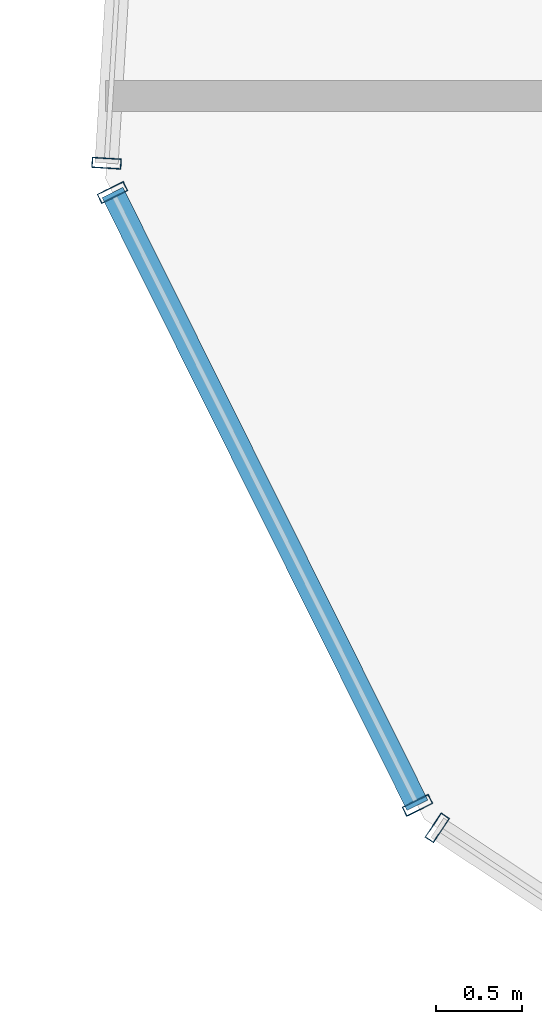
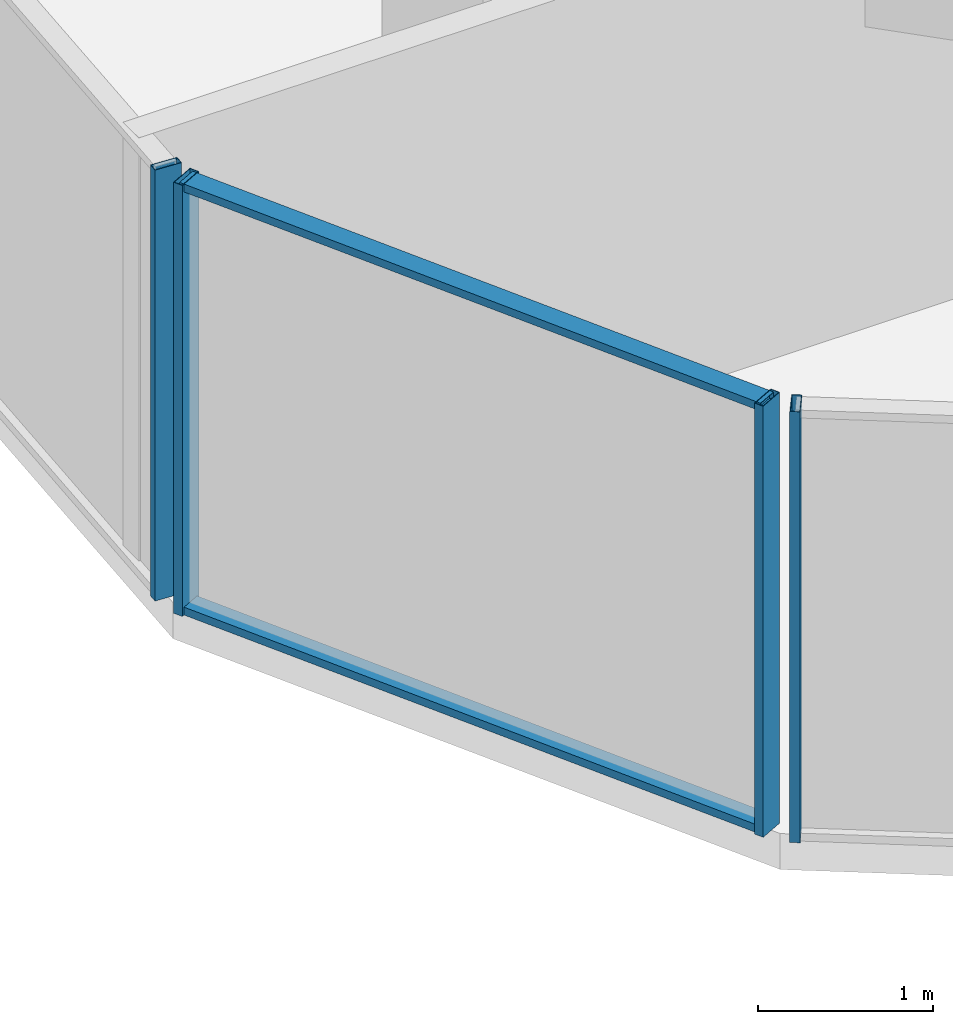
# One storey, part 4 of 30: 6 members, 3 elements without a shape of their own.
"""IFC4 building model written with IfcOpenShell, lengths in metres."""

from ifc_helpers import new_model, si_unit, direction, frame, origin, origin_2d, place, context, subcontext, project, spatial, hollow_rectangle, extrude, source, transform, mapped, material, layer, layer_set, material_profile, profile_set, type_object, element, aggregate, save


model = new_model("IFC4")

# Units and contexts
model_context = context("Model", 3, precision=1e-05, world=origin(), true_north=direction((0.0, 1.0)))
body_context = subcontext(model_context, "Body", "Model", "MODEL_VIEW")
ifc_project = project(units=[si_unit("LENGTHUNIT", "METRE"), si_unit("AREAUNIT", "SQUARE_METRE"), si_unit("VOLUMEUNIT", "CUBIC_METRE"), si_unit("PLANEANGLEUNIT", "RADIAN"), si_unit("MASSUNIT", "GRAM", prefix="KILO")], contexts=[model_context])

# Site, building, storey
site_placement = place(None, origin())
site = spatial("IfcSite", under=ifc_project, at=site_placement, CompositionType="ELEMENT")
building_placement = place(site_placement, origin())
building = spatial("IfcBuilding", under=site, at=building_placement, Name="Veraguas Prism Commons", CompositionType="ELEMENT")
storey_placement = place(building_placement, frame((0.0, 0.0, 116.5)))
storey = spatial("IfcBuildingStorey", under=building, at=storey_placement, Name="L32", CompositionType="ELEMENT", Elevation=116.5)

# Curtain wall, member
ifc_material = material(Name="Anodised aluminium EN AW-6063 T6", Category="aluminium")
ifc_layer = layer(ifc_material, 0.169921875, Name="Unitised Flush Curtain Wall Zone 2", Category="aluminium")
ifc_layer_set = layer_set([ifc_layer], Name="Anodised aluminium EN AW-6063 T6")
curtain_wall_type = type_object("IfcCurtainWallType", Name="Unitised Flush Curtain Wall Zone 2", PredefinedType="NOTDEFINED", material=ifc_layer_set)
curtain_wall_1_placement = place(storey_placement, origin())
curtain_wall_1 = element("IfcCurtainWall", 1, at=curtain_wall_1_placement, inside=storey, type_object=curtain_wall_type, Name="Tower Facade Curtain Wall L32-F3", PredefinedType="NOTDEFINED")
ifc_material_profile_1 = material_profile(ifc_material, hollow_rectangle(XDim=0.06005859375, YDim=0.169921875, WallThickness=0.00390625, at=origin_2d()), Name="AL60X170X4")
ifc_profile_set_1 = profile_set([ifc_material_profile_1], Name="Anodised aluminium EN AW-6063 T6")
member_type_1 = type_object("IfcMemberType", Name="Curtain Wall Mullion Lower AL 60x170x4", PredefinedType="MULLION", material=ifc_profile_set_1)
shared_shape_1 = source(origin(), body_context, "Body", "SweptSolid", [
    extrude(hollow_rectangle(XDim=0.06005859375, YDim=0.169921875, WallThickness=0.00390625, at=origin_2d()), origin(), (0.0, 0.0, 1.0), 3.0),
])
member_1_placement = place(storey_placement, frame((4.323974609375, 16.613525390625, 0.0), z_axis=(0.0, 0.0, 1.0), x_axis=(-0.061743612146, -0.99809204303, 0.0)))
member_1 = element("IfcMember", 2, at=member_1_placement, type_object=member_type_1, Name="CW-Z2 Mullion 5", PredefinedType="MULLION", context=body_context, shape_type="MappedRepresentation", body=[
    mapped(shared_shape_1, transform((0.0, 0.0, 0.0), scale=1.0)),
])
aggregate(curtain_wall_1, [member_1])

curtain_wall_2_placement = place(storey_placement, origin())
curtain_wall_2 = element("IfcCurtainWall", 3, at=curtain_wall_2_placement, inside=storey, type_object=curtain_wall_type, Name="Tower Facade Curtain Wall L32-F4", PredefinedType="NOTDEFINED")
member_2_placement = place(storey_placement, frame((6.243896484375, 12.755859375, 0.0), z_axis=(0.0, 0.0, 1.0), x_axis=(0.833504151469, -0.552513193945, 0.0)))
member_2 = element("IfcMember", 4, at=member_2_placement, type_object=member_type_1, Name="CW-Z2 Mullion 1", PredefinedType="MULLION", context=body_context, shape_type="MappedRepresentation", body=[
    mapped(shared_shape_1, transform((0.0, 0.0, 0.0), scale=1.0)),
])
aggregate(curtain_wall_2, [member_2])

# Curtain wall, members
curtain_wall_3_placement = place(storey_placement, origin())
curtain_wall_3 = element("IfcCurtainWall", 5, at=curtain_wall_3_placement, inside=storey, type_object=curtain_wall_type, Name="Chamfer Curtain Wall L32-C4", PredefinedType="NOTDEFINED")
member_3_placement = place(storey_placement, frame((4.3583984375, 16.443359375, 0.0), z_axis=(0.0, 0.0, 1.0), x_axis=(0.445576047371, -0.895244092976, 0.0)))
member_3 = element("IfcMember", 6, at=member_3_placement, type_object=member_type_1, Name="CW-Z2 Mullion 1", PredefinedType="MULLION", context=body_context, shape_type="MappedRepresentation", body=[
    mapped(shared_shape_1, transform((0.0, 0.0, 0.0), scale=1.0)),
])
member_4_placement = place(storey_placement, frame((6.12890625, 12.88623046875, 0.0), z_axis=(0.0, 0.0, 1.0), x_axis=(0.445576047371, -0.895244092976, 0.0)))
member_4 = element("IfcMember", 7, at=member_4_placement, type_object=member_type_1, Name="CW-Z2 Mullion 2", PredefinedType="MULLION", context=body_context, shape_type="MappedRepresentation", body=[
    mapped(shared_shape_1, transform((0.0, 0.0, 0.0), scale=1.0)),
])
ifc_material_profile_2 = material_profile(ifc_material, hollow_rectangle(XDim=0.054931640625, YDim=0.135009765625, WallThickness=0.0029296875, at=origin_2d()), Name="AL55X135X3")
ifc_profile_set_2 = profile_set([ifc_material_profile_2], Name="Anodised aluminium EN AW-6063 T6")
member_type_2 = type_object("IfcMemberType", Name="Curtain Wall Transom Standard AL 55x135x3", PredefinedType="USERDEFINED", material=ifc_profile_set_2)
shared_shape_2 = source(origin(), body_context, "Body", "SweptSolid", [
    extrude(hollow_rectangle(XDim=0.054931640625, YDim=0.135009765625, WallThickness=0.0029296875, at=origin_2d()), origin(), (0.0, 0.0, 1.0), 3.973388671875),
])
member_5_placement = place(storey_placement, frame((4.3583984375, 16.443359375, 0.027587890625), z_axis=(0.445590742608, -0.895236778792, 0.0), x_axis=(0.0, 0.0, 1.0)))
member_5 = element("IfcMember", 8, at=member_5_placement, type_object=member_type_2, Name="CW-Z2 Transom 1", ObjectType="TRANSOM", PredefinedType="USERDEFINED", context=body_context, shape_type="MappedRepresentation", body=[
    mapped(shared_shape_2, transform((0.0, 0.0, 0.0), scale=1.0)),
])
member_6_placement = place(storey_placement, frame((4.3583984375, 16.443359375, 2.972412109375), z_axis=(0.445590742608, -0.895236778792, 0.0), x_axis=(0.0, 0.0, 1.0)))
member_6 = element("IfcMember", 9, at=member_6_placement, type_object=member_type_2, Name="CW-Z2 Transom 2", ObjectType="TRANSOM", PredefinedType="USERDEFINED", context=body_context, shape_type="MappedRepresentation", body=[
    mapped(shared_shape_2, transform((0.0, 0.0, 0.0), scale=1.0)),
])
aggregate(curtain_wall_3, [member_3, member_4, member_5, member_6])

save(model, "model.ifc")
